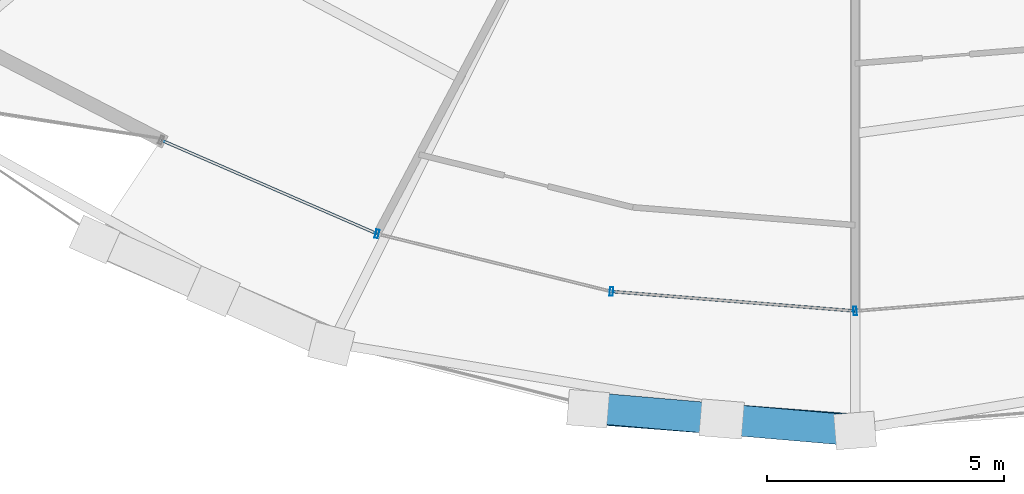
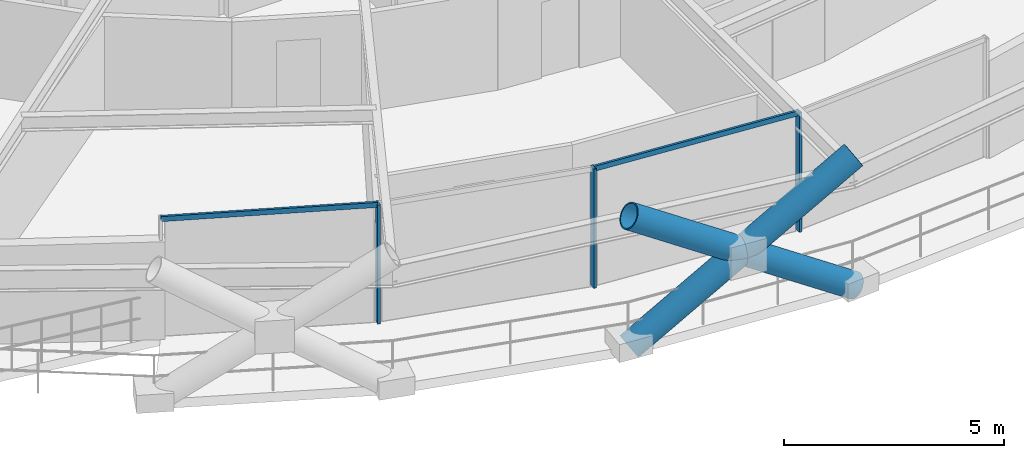
# One storey, part 3 of 21: 8 members, 1 element without a shape of its own.
"""IFC4 building model written with IfcOpenShell, lengths in metres."""

from ifc_helpers import new_model, si_unit, direction, frame, origin, origin_2d, place, context, subcontext, project, spatial, hollow_rectangle, hollow_circle, extrude, material, layer, layer_set, material_profile, profile_set, type_object, element, aggregate, save


model = new_model("IFC4")

# Units and contexts
model_context = context("Model", 3, precision=1e-05, world=origin(), true_north=direction((0.0, 1.0)))
body_context = subcontext(model_context, "Body", "Model", "MODEL_VIEW")
ifc_project = project(units=[si_unit("LENGTHUNIT", "METRE"), si_unit("AREAUNIT", "SQUARE_METRE"), si_unit("VOLUMEUNIT", "CUBIC_METRE"), si_unit("PLANEANGLEUNIT", "RADIAN"), si_unit("MASSUNIT", "GRAM", prefix="KILO")], contexts=[model_context])

# Site, building, storey
site_placement = place(None, origin())
site = spatial("IfcSite", under=ifc_project, at=site_placement, CompositionType="ELEMENT")
building_placement = place(site_placement, origin())
building = spatial("IfcBuilding", under=site, at=building_placement, Name="Veldorina Hangang Commons", CompositionType="ELEMENT")
storey_placement = place(building_placement, frame((0.0, 0.0, 98.800048828125)))
storey = spatial("IfcBuildingStorey", under=building, at=storey_placement, Name="L25", CompositionType="ELEMENT", Elevation=98.800048828125)

# Curtain wall, members
ifc_material_1 = material(Name="Glass Low-E Triple IGU", Category="glass")
ifc_layer = layer(ifc_material_1, 0.179931640625)
ifc_layer_set = layer_set([ifc_layer], Name="Glass Low-E Triple IGU")
curtain_wall_type = type_object("IfcCurtainWallType", Name="CW-SYS-Z1", PredefinedType="NOTDEFINED", material=ifc_layer_set)
curtain_wall_placement = place(storey_placement, origin())
curtain_wall = element("IfcCurtainWall", 1, at=curtain_wall_placement, inside=storey, type_object=curtain_wall_type, Name="L25 unitised curtain wall CW-L25-R1", PredefinedType="NOTDEFINED")
ifc_material_2 = material(Name="Aluminium Anodized AA6063-T6", Category="aluminium")
ifc_material_profile_1 = material_profile(ifc_material_2, hollow_rectangle(XDim=0.070068359375, YDim=0.179931640625, WallThickness=0.00390625, at=origin_2d()), Name="ALU-RHS-180x70x4")
ifc_profile_set_1 = profile_set([ifc_material_profile_1], Name="Aluminium Anodized AA6063-T6")
member_type_1 = type_object("IfcMemberType", Name="CW-MUL-180", PredefinedType="MULLION", material=ifc_profile_set_1)
member_1_placement = place(storey_placement, frame((21.922119140625, 4.248779296875, 0.0), z_axis=(0.0, 0.0, 1.0), x_axis=(0.970996733432, -0.239092751175, 0.0)))
member_1 = element("IfcMember", 2, at=member_1_placement, type_object=member_type_1, Name="CW-L25-R1 vertical mullion 2", PredefinedType="MULLION", context=body_context, shape_type="SweptSolid", body=[
    extrude(hollow_rectangle(XDim=0.070068359375, YDim=0.179931640625, WallThickness=0.00390625, at=origin_2d()), origin(), (0.0, 0.0, 1.0), 3.300048828125),
])
member_2_placement = place(storey_placement, frame((26.8623046875, 3.0322265625, 0.0), z_axis=(0.0, 0.0, 1.0), x_axis=(0.996817952017, -0.079711796718, 0.0)))
member_2 = element("IfcMember", 3, at=member_2_placement, type_object=member_type_1, Name="CW-L25-R1 vertical mullion 3", PredefinedType="MULLION", context=body_context, shape_type="SweptSolid", body=[
    extrude(hollow_rectangle(XDim=0.070068359375, YDim=0.179931640625, WallThickness=0.00390625, at=origin_2d()), origin(), (0.0, 0.0, 1.0), 3.300048828125),
])
member_3_placement = place(storey_placement, frame((32.0, 2.62158203125, 0.0), z_axis=(0.0, 0.0, 1.0), x_axis=(0.996817952017, 0.079711796718, 0.0)))
member_3 = element("IfcMember", 4, at=member_3_placement, type_object=member_type_1, Name="CW-L25-R1 vertical mullion 4", PredefinedType="MULLION", context=body_context, shape_type="SweptSolid", body=[
    extrude(hollow_rectangle(XDim=0.070068359375, YDim=0.179931640625, WallThickness=0.00390625, at=origin_2d()), origin(), (0.0, 0.0, 1.0), 3.300048828125),
])
ifc_material_profile_2 = material_profile(ifc_material_2, hollow_rectangle(XDim=0.06005859375, YDim=0.139892578125, WallThickness=0.00341796875, at=origin_2d()), Name="ALU-RHS-140x60x3.5")
ifc_profile_set_2 = profile_set([ifc_material_profile_2], Name="Aluminium Anodized AA6063-T6")
member_type_2 = type_object("IfcMemberType", Name="CW-TRN-140", PredefinedType="USERDEFINED", material=ifc_profile_set_2)
member_4_placement = place(storey_placement, frame((17.369140625, 6.224365234375, 3.260009765625), z_axis=(0.917362296331, -0.398053284461, 0.0), x_axis=(0.398053284461, 0.917362296331, 0.0)))
member_4 = element("IfcMember", 5, at=member_4_placement, type_object=member_type_2, Name="CW-L25-R1 facet 1 transom 1", ObjectType="TRANSOM", PredefinedType="USERDEFINED", context=body_context, shape_type="SweptSolid", body=[
    extrude(hollow_rectangle(XDim=0.06005859375, YDim=0.139892578125, WallThickness=0.00341796875, at=origin_2d()), origin(), (0.0, 0.0, 1.0), 4.963134765625),
])
member_5_placement = place(storey_placement, frame((26.8623046875, 3.0322265625, 3.260009765625), z_axis=(0.996820999339, -0.079673679951, 0.0), x_axis=(0.079673679951, 0.996820999339, 0.0)))
member_5 = element("IfcMember", 6, at=member_5_placement, type_object=member_type_2, Name="CW-L25-R1 facet 3 transom 1", ObjectType="TRANSOM", PredefinedType="USERDEFINED", context=body_context, shape_type="SweptSolid", body=[
    extrude(hollow_rectangle(XDim=0.06005859375, YDim=0.139892578125, WallThickness=0.00341796875, at=origin_2d()), origin(), (0.0, 0.0, 1.0), 5.154052734375),
])
aggregate(curtain_wall, [member_1, member_2, member_3, member_4, member_5])

# Members
ifc_material_3 = material(Name="Steel SM460-TMC", Category="steel")
ifc_material_profile_3 = material_profile(ifc_material_3, hollow_circle(Radius=0.324951171875, WallThickness=0.031982421875, at=origin_2d()), Name="CHS-650x32")
ifc_profile_set_3 = profile_set([ifc_material_profile_3], Name="Steel SM460-TMC")
member_type_3 = type_object("IfcMemberType", Name="DG-CHS650", PredefinedType="BRACE", material=ifc_profile_set_3)
member_6_placement = place(storey_placement, frame((26.37060546875, 0.560791015625, 0.0), z_axis=(0.84069633522, -0.064898927777, 0.537603758471), x_axis=(0.076967637826, 0.997033591574, 0.0)))
element("IfcMember", 7, at=member_6_placement, inside=storey, type_object=member_type_3, Name="L25 continuous perimeter diagrid brace 23", PredefinedType="BRACE", context=body_context, shape_type="SweptSolid", body=[
    extrude(hollow_circle(Radius=0.324951171875, WallThickness=0.031982421875, at=origin_2d()), origin(), (0.0, 0.0, 1.0), 6.696044921875),
])
member_7_placement = place(storey_placement, frame((32.0, 0.1015625, 0.0), z_axis=(-0.839973772722, 0.072245617841, 0.537796087604), x_axis=(-0.085692995625, -0.9963215899, 0.0)))
element("IfcMember", 8, at=member_7_placement, inside=storey, type_object=member_type_3, Name="L25 split perimeter diagrid lower brace 24", PredefinedType="BRACE", context=body_context, shape_type="SweptSolid", body=[
    extrude(hollow_circle(Radius=0.324951171875, WallThickness=0.031982421875, at=origin_2d()), origin(), (0.0, 0.0, 1.0), 3.348876953125),
])
member_8_placement = place(storey_placement, frame((29.18701171875, 0.343505859375, 1.801025390625), z_axis=(-0.83995700534, 0.072192359284, 0.537829426901), x_axis=(-0.085631984044, -0.996326835586, 0.0)))
element("IfcMember", 9, at=member_8_placement, inside=storey, type_object=member_type_3, Name="L25 split perimeter diagrid upper brace 24", PredefinedType="BRACE", context=body_context, shape_type="SweptSolid", body=[
    extrude(hollow_circle(Radius=0.324951171875, WallThickness=0.031982421875, at=origin_2d()), origin(), (0.0, 0.0, 1.0), 3.3447265625),
])

save(model, "model.ifc")
